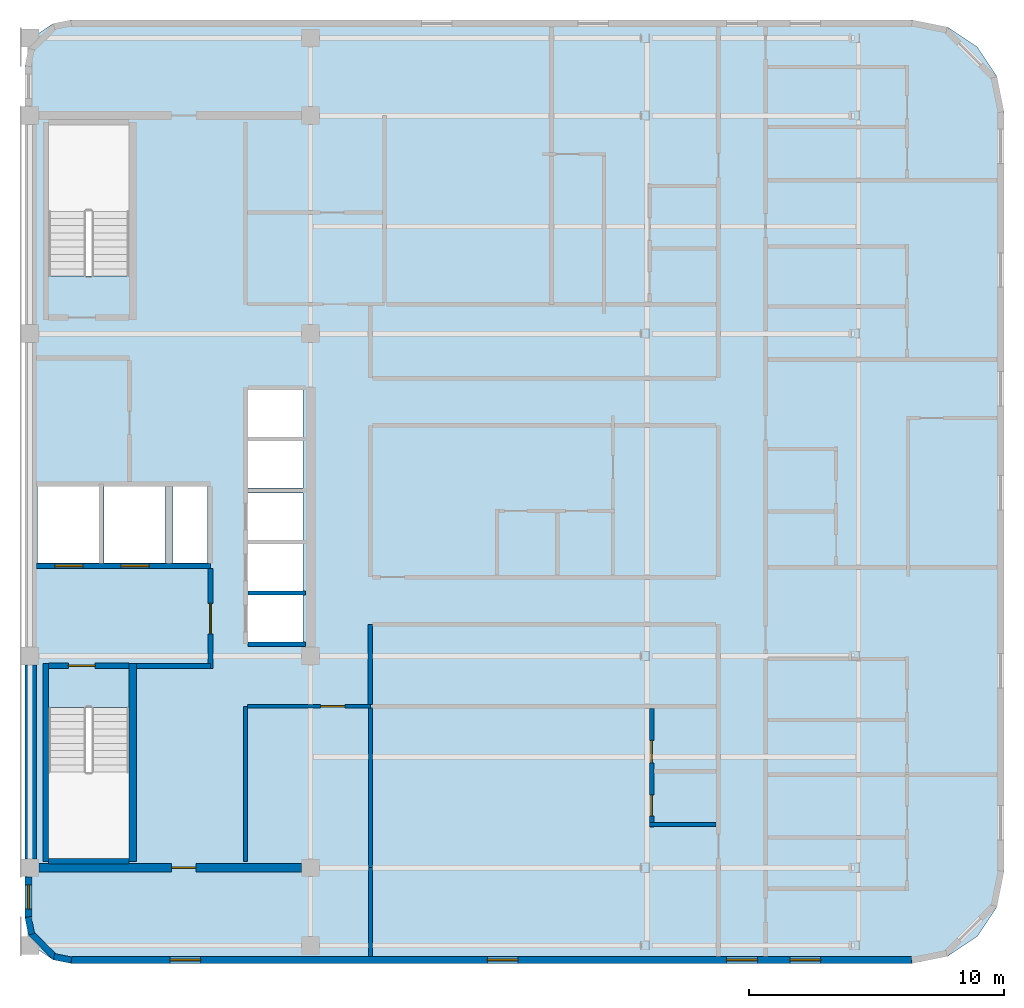
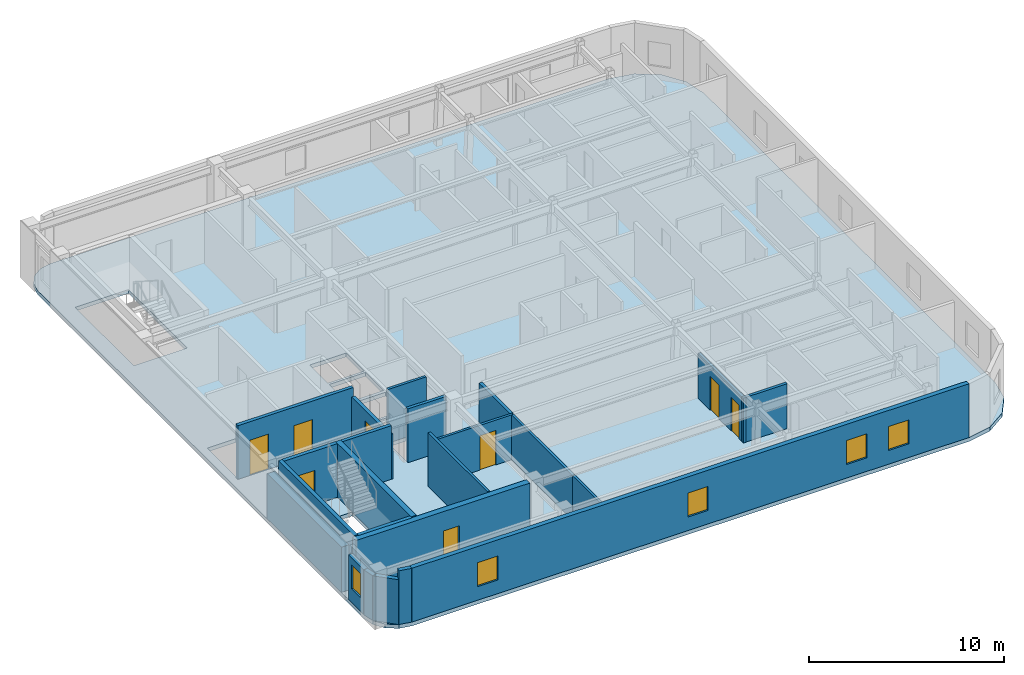
# One storey, part 2 of 7: 23 walls, 8 doors, 5 windows, 1 slab, 13 openings.
"""IFC4 building model written with IfcOpenShell, lengths in metres."""

from ifc_helpers import new_model, si_unit, direction, frame, frame_2d, origin, place, context, subcontext, project, spatial, polyline, rectangle, outline, extrude, material, layer, layer_set, type_object, element, fill, save


model = new_model("IFC4")

# Units and contexts
model_context = context("Model", 3, precision=1e-05, world=origin(), true_north=direction((0.0, 1.0)))
body_context = subcontext(model_context, "Body", "Model", "MODEL_VIEW")
ifc_project = project(units=[si_unit("LENGTHUNIT", "METRE"), si_unit("AREAUNIT", "SQUARE_METRE"), si_unit("VOLUMEUNIT", "CUBIC_METRE"), si_unit("PLANEANGLEUNIT", "RADIAN"), si_unit("MASSUNIT", "GRAM", prefix="KILO")], contexts=[model_context])

# Site, building, storey
site_placement = place(None, origin())
site = spatial("IfcSite", under=ifc_project, at=site_placement, CompositionType="ELEMENT")
building_placement = place(site_placement, origin())
building = spatial("IfcBuilding", under=site, at=building_placement, Name="Ochreholt Gables", CompositionType="ELEMENT")
storey_placement = place(building_placement, frame((0.0, 0.0, 238.800048828125)))
storey = spatial("IfcBuildingStorey", under=building, at=storey_placement, Name="L62", CompositionType="ELEMENT", Elevation=238.800048828125)

# Slab
ifc_material_1 = material(Name="Concrete 40 MPa", Category="concrete")
ifc_layer_1 = layer(ifc_material_1, 0.239990234375, Name="Concrete 40 MPa")
ifc_layer_set_1 = layer_set([ifc_layer_1], Name="Concrete 40 MPa")
slab_type = type_object("IfcSlabType", Name="SLAB-TWR-240", PredefinedType="FLOOR", material=ifc_layer_set_1)
slab_placement = place(storey_placement, frame((0.0, 0.0, -0.239990234375)))
element("IfcSlab", 1, at=slab_placement, inside=storey, type_object=slab_type, Name="L62 Structural Floor Slab", PredefinedType="FLOOR", context=body_context, shape_type="SweptSolid", body=[
    extrude(outline(polyline([(24.0, 7.300048828125), (24.136962890625, 6.611083984375), (24.527099609375, 6.027099609375), (25.111083984375, 5.636962890625), (25.800048828125, 5.5), (58.800048828125, 5.5), (60.177734375, 5.77392578125), (61.345703125, 6.554443359375), (62.1259765625, 7.722412109375), (62.39990234375, 9.10009765625), (62.39990234375, 38.89990234375), (62.1259765625, 40.277587890625), (61.345703125, 41.445556640625), (60.177734375, 42.22607421875), (58.800048828125, 42.5), (25.800048828125, 42.5), (25.111083984375, 42.363037109375), (24.527099609375, 41.972900390625), (24.136962890625, 41.388916015625), (24.0, 40.699951171875), (24.0, 7.300048828125)]), holes=[polyline([(24.919921875, 15.539306640625), (24.919921875, 9.52001953125), (28.080078125, 9.52001953125), (28.080078125, 15.539306640625), (24.919921875, 15.539306640625)]), polyline([(28.080078125, 32.460693359375), (28.080078125, 38.47998046875), (24.919921875, 38.47998046875), (24.919921875, 32.460693359375), (28.080078125, 32.460693359375)]), polyline([(24.5, 21.199951171875), (26.89990234375, 21.199951171875), (26.89990234375, 24.199951171875), (24.5, 24.199951171875), (24.5, 21.199951171875)]), polyline([(27.10009765625, 21.199951171875), (29.5, 21.199951171875), (29.5, 24.199951171875), (27.10009765625, 24.199951171875), (27.10009765625, 21.199951171875)]), polyline([(32.75, 18.10009765625), (34.89990234375, 18.10009765625), (34.89990234375, 19.949951171875), (32.75, 19.949951171875), (32.75, 18.10009765625)]), polyline([(32.75, 20.10009765625), (34.89990234375, 20.10009765625), (34.89990234375, 21.949951171875), (32.75, 21.949951171875), (32.75, 20.10009765625)]), polyline([(32.75, 22.10009765625), (34.89990234375, 22.10009765625), (34.89990234375, 23.949951171875), (32.75, 23.949951171875), (32.75, 22.10009765625)]), polyline([(32.75, 24.14990234375), (34.89990234375, 24.14990234375), (34.89990234375, 26.0), (32.75, 26.0), (32.75, 24.14990234375)]), polyline([(32.75, 26.14990234375), (34.89990234375, 26.14990234375), (34.89990234375, 28.0), (32.75, 28.0), (32.75, 26.14990234375)]), polyline([(29.800048828125, 21.199951171875), (31.14990234375, 21.199951171875), (31.14990234375, 24.199951171875), (29.800048828125, 24.199951171875), (29.800048828125, 21.199951171875)])]), origin(), (0.0, 0.0, 1.0), 0.239990234375),
])

# Wall, opening, door
ifc_material_2 = material(Name="Concrete 50 MPa", Category="concrete")
ifc_layer_2 = layer(ifc_material_2, 0.35009765625, Name="Concrete 50 MPa")
ifc_layer_set_2 = layer_set([ifc_layer_2], Name="Concrete 50 MPa")
wall_type_1 = type_object("IfcWallType", Name="WALL-CSW-350", PredefinedType="SHEAR", material=ifc_layer_set_2)
wall_1_placement = place(storey_placement, frame((24.550048828125, 9.25, 0.0), z_axis=(0.0, 0.0, 1.0), x_axis=(1.0, 0.0, 0.0)))
wall_1 = element("IfcWall", 2, at=wall_1_placement, inside=storey, type_object=wall_type_1, Name="L62 Core South Shear Wall", PredefinedType="SHEAR", context=body_context, shape_type="SweptSolid", body=[
    extrude(rectangle(XDim=10.300048828125, YDim=0.35009765625, at=frame_2d((5.14990234375, 0.0))), origin(), (0.0, 0.0, 1.0), 3.35986328125),
])
opening_1_placement = place(wall_1_placement, frame((5.199951171875, 0.0, 0.0)))
opening_1 = element("IfcOpeningElement", 3, at=opening_1_placement, cuts=wall_1, Name="Opening D-FL2", PredefinedType="OPENING", context=body_context, shape_type="SweptSolid", body=[
    extrude(rectangle(XDim=0.949951171875, YDim=2.14990234375, at=frame_2d((0.47509765625, 1.074951171875))), frame((0.0, 0.18505859375, 0.0), z_axis=(0.0, -1.0, 0.0), x_axis=(1.0, 0.0, 0.0)), (0.0, 0.0, 1.0), 0.3701171875),
])
ifc_material_3 = material(Name="Hollow Metal Steel", Category="steel")
door_type_1 = type_object("IfcDoorType", Name="DR-INT-FLB950", OperationType="NOTDEFINED", PredefinedType="DOOR", material=ifc_material_3)
door_1_placement = place(opening_1_placement, frame((0.949951171875, 0.0, 0.0), z_axis=(0.0, 0.0, 1.0), x_axis=(-1.0, 0.0, 0.0)))
door_1 = element("IfcDoor", 4, at=door_1_placement, inside=storey, type_object=door_type_1, Name="L62 Door D-C3SSL-L62", OperationType="SINGLE_SWING_LEFT", OverallHeight=2.14990234375, OverallWidth=0.949951171875, PredefinedType="DOOR", context=body_context, shape_type="SweptSolid", body=[
    extrude(rectangle(XDim=0.949951171875, YDim=2.14990234375, at=frame_2d((0.47509765625, 1.074951171875))), frame((0.0, 0.02490234375, 0.0), z_axis=(0.0, -1.0, 0.0), x_axis=(1.0, 0.0, 0.0)), (0.0, 0.0, 1.0), 0.050048828125),
])
fill(opening_1, door_1)

# Wall
ifc_layer_3 = layer(ifc_material_2, 0.449951171875, Name="Concrete 50 MPa")
ifc_layer_set_3 = layer_set([ifc_layer_3], Name="Concrete 50 MPa")
wall_type_2 = type_object("IfcWallType", Name="WALL-CSW-EXT", PredefinedType="SHEAR", material=ifc_layer_set_3)
wall_2_placement = place(storey_placement, frame((24.22509765625, 9.60009765625, 0.0), z_axis=(0.0, 0.0, 1.0), x_axis=(0.0, 1.0, 0.0)))
element("IfcWall", 5, at=wall_2_placement, inside=storey, type_object=wall_type_2, Name="L62 Core West Shear Wall WS", PredefinedType="SHEAR", context=body_context, shape_type="SweptSolid", body=[
    extrude(rectangle(XDim=7.599853515625, YDim=0.449951171875, at=frame_2d((3.7998046875, 0.0))), origin(), (0.0, 0.0, 1.0), 2.821044921875),
])

# Wall, openings, windows
ifc_material_4 = material(Name="Precast concrete 40 MPa", Category="concrete")
ifc_layer_4 = layer(ifc_material_4, 0.27001953125, Name="Precast concrete 40 MPa")
ifc_layer_set_4 = layer_set([ifc_layer_4], Name="Precast concrete 40 MPa")
wall_type_3 = type_object("IfcWallType", Name="WALL-EXT-270", PredefinedType="SOLIDWALL", material=ifc_layer_set_4)
wall_3_placement = place(storey_placement, frame((25.820068359375, 5.635009765625, 0.0), z_axis=(0.0, 0.0, 1.0), x_axis=(1.0, 0.0, 0.0)))
wall_3 = element("IfcWall", 6, at=wall_3_placement, inside=storey, type_object=wall_type_3, Name="L62 South Exterior Wall", PredefinedType="SOLIDWALL", context=body_context, shape_type="SweptSolid", body=[
    extrude(rectangle(XDim=32.9599609375, YDim=0.27001953125, at=frame_2d((16.47998046875, 0.0))), origin(), (0.0, 0.0, 1.0), 3.35986328125),
])
opening_2_placement = place(wall_3_placement, frame((3.8701171875, 0.0, 0.85009765625)))
opening_2 = element("IfcOpeningElement", 7, at=opening_2_placement, cuts=wall_3, Name="Opening WN-3", PredefinedType="OPENING", context=body_context, shape_type="SweptSolid", body=[
    extrude(rectangle(XDim=1.199951171875, YDim=1.5, at=frame_2d((0.60009765625, 0.75))), frame((0.0, 0.14501953125, 0.0), z_axis=(0.0, -1.0, 0.0), x_axis=(1.0, 0.0, 0.0)), (0.0, 0.0, 1.0), 0.2900390625),
])
opening_3_placement = place(wall_3_placement, frame((16.3134765625, 0.0, 0.85009765625)))
opening_3 = element("IfcOpeningElement", 8, at=opening_3_placement, cuts=wall_3, Name="Opening WN-3", PredefinedType="OPENING", context=body_context, shape_type="SweptSolid", body=[
    extrude(rectangle(XDim=1.199951171875, YDim=1.5, at=frame_2d((0.60009765625, 0.75))), frame((0.0, 0.14501953125, 0.0), z_axis=(0.0, -1.0, 0.0), x_axis=(1.0, 0.0, 0.0)), (0.0, 0.0, 1.0), 0.2900390625),
])
opening_4_placement = place(wall_3_placement, frame((25.705078125, 0.0, 0.85009765625)))
opening_4 = element("IfcOpeningElement", 9, at=opening_4_placement, cuts=wall_3, Name="Opening WN-3", PredefinedType="OPENING", context=body_context, shape_type="SweptSolid", body=[
    extrude(rectangle(XDim=1.199951171875, YDim=1.5, at=frame_2d((0.60009765625, 0.75))), frame((0.0, 0.14501953125, 0.0), z_axis=(0.0, -1.0, 0.0), x_axis=(1.0, 0.0, 0.0)), (0.0, 0.0, 1.0), 0.2900390625),
])
opening_5_placement = place(wall_3_placement, frame((28.19091796875, 0.0, 0.85009765625)))
opening_5 = element("IfcOpeningElement", 10, at=opening_5_placement, cuts=wall_3, Name="Opening WN-3", PredefinedType="OPENING", context=body_context, shape_type="SweptSolid", body=[
    extrude(rectangle(XDim=1.199951171875, YDim=1.5, at=frame_2d((0.60009765625, 0.75))), frame((0.0, 0.14501953125, 0.0), z_axis=(0.0, -1.0, 0.0), x_axis=(1.0, 0.0, 0.0)), (0.0, 0.0, 1.0), 0.2900390625),
])
ifc_material_5 = material(Name="Triple-Glazed Thermally Broken Aluminium Window", Category="aluminium")
window_type_1 = type_object("IfcWindowType", Name="WIN-RES-1200", PartitioningType="SINGLE_PANEL", PredefinedType="WINDOW", material=ifc_material_5)
window_1_placement = place(opening_2_placement, origin())
window_1 = element("IfcWindow", 11, at=window_1_placement, inside=storey, type_object=window_type_1, Name="L62 Window W-EXT-S-L62-1", OverallHeight=1.5, OverallWidth=1.199951171875, PartitioningType="SINGLE_PANEL", PredefinedType="WINDOW", context=body_context, shape_type="SweptSolid", body=[
    extrude(rectangle(XDim=1.199951171875, YDim=1.5, at=frame_2d((0.60009765625, 0.75))), frame((0.0, 0.030029296875, 0.0), z_axis=(0.0, -1.0, 0.0), x_axis=(1.0, 0.0, 0.0)), (0.0, 0.0, 1.0), 0.06005859375),
])
fill(opening_2, window_1)
window_2_placement = place(opening_3_placement, origin())
window_2 = element("IfcWindow", 12, at=window_2_placement, inside=storey, type_object=window_type_1, Name="L62 Window W-EXT-S-L62-2", OverallHeight=1.5, OverallWidth=1.199951171875, PartitioningType="SINGLE_PANEL", PredefinedType="WINDOW", context=body_context, shape_type="SweptSolid", body=[
    extrude(rectangle(XDim=1.199951171875, YDim=1.5, at=frame_2d((0.60009765625, 0.75))), frame((0.0, 0.030029296875, 0.0), z_axis=(0.0, -1.0, 0.0), x_axis=(1.0, 0.0, 0.0)), (0.0, 0.0, 1.0), 0.06005859375),
])
fill(opening_3, window_2)
window_3_placement = place(opening_4_placement, origin())
window_3 = element("IfcWindow", 13, at=window_3_placement, inside=storey, type_object=window_type_1, Name="L62 Window W-EXT-S-L62-3", OverallHeight=1.5, OverallWidth=1.199951171875, PartitioningType="SINGLE_PANEL", PredefinedType="WINDOW", context=body_context, shape_type="SweptSolid", body=[
    extrude(rectangle(XDim=1.199951171875, YDim=1.5, at=frame_2d((0.60009765625, 0.75))), frame((0.0, 0.030029296875, 0.0), z_axis=(0.0, -1.0, 0.0), x_axis=(1.0, 0.0, 0.0)), (0.0, 0.0, 1.0), 0.06005859375),
])
fill(opening_4, window_3)
window_4_placement = place(opening_5_placement, origin())
window_4 = element("IfcWindow", 14, at=window_4_placement, inside=storey, type_object=window_type_1, Name="L62 Window W-EXT-S-L62-4", OverallHeight=1.5, OverallWidth=1.199951171875, PartitioningType="SINGLE_PANEL", PredefinedType="WINDOW", context=body_context, shape_type="SweptSolid", body=[
    extrude(rectangle(XDim=1.199951171875, YDim=1.5, at=frame_2d((0.60009765625, 0.75))), frame((0.0, 0.030029296875, 0.0), z_axis=(0.0, -1.0, 0.0), x_axis=(1.0, 0.0, 0.0)), (0.0, 0.0, 1.0), 0.06005859375),
])
fill(opening_5, window_4)

# Wall, opening, window
wall_4_placement = place(storey_placement, frame((24.135009765625, 7.320068359375, 0.0), z_axis=(0.0, 0.0, 1.0), x_axis=(0.0, 1.0, 0.0)))
wall_4 = element("IfcWall", 15, at=wall_4_placement, inside=storey, type_object=wall_type_3, Name="L62 West Facade South Bay Wall", PredefinedType="SOLIDWALL", context=body_context, shape_type="SweptSolid", body=[
    extrude(rectangle(XDim=1.559814453125, YDim=0.27001953125, at=frame_2d((0.77978515625, 0.0))), origin(), (0.0, 0.0, 1.0), 2.802978515625),
])
opening_6_placement = place(wall_4_placement, frame((0.304931640625, 0.0, 0.85009765625)))
opening_6 = element("IfcOpeningElement", 16, at=opening_6_placement, cuts=wall_4, Name="Opening WN-10", PredefinedType="OPENING", context=body_context, shape_type="SweptSolid", body=[
    extrude(rectangle(XDim=0.949951171875, YDim=1.5, at=frame_2d((0.47509765625, 0.75))), frame((0.0, 0.14501953125, 0.0), z_axis=(0.0, -1.0, 0.0), x_axis=(1.0, 0.0, 0.0)), (0.0, 0.0, 1.0), 0.2900390625),
])
window_type_2 = type_object("IfcWindowType", Name="WIN-RES-950", PartitioningType="SINGLE_PANEL", PredefinedType="WINDOW", material=ifc_material_5)
window_5_placement = place(opening_6_placement, origin())
window_5 = element("IfcWindow", 17, at=window_5_placement, inside=storey, type_object=window_type_2, Name="L62 South Sky Lounge West Window", OverallHeight=1.5, OverallWidth=0.949951171875, PartitioningType="SINGLE_PANEL", PredefinedType="WINDOW", context=body_context, shape_type="SweptSolid", body=[
    extrude(rectangle(XDim=0.949951171875, YDim=1.5, at=frame_2d((0.47509765625, 0.75))), frame((0.0, 0.030029296875, 0.0), z_axis=(0.0, -1.0, 0.0), x_axis=(1.0, 0.0, 0.0)), (0.0, 0.0, 1.0), 0.06005859375),
])
fill(opening_6, window_5)

# Walls
ifc_layer_5 = layer(ifc_material_4, 0.25, Name="Precast concrete 40 MPa")
ifc_layer_set_5 = layer_set([ifc_layer_5], Name="Precast concrete 40 MPa")
wall_type_4 = type_object("IfcWallType", Name="WALL-EXT-CNR", PredefinedType="SOLIDWALL", material=ifc_layer_set_5)
wall_5_placement = place(storey_placement, frame((24.124267578125, 7.31640625, 0.0), z_axis=(0.0, 0.0, 1.0), x_axis=(0.194952956674, -0.980812594069, 0.0)))
element("IfcWall", 18, at=wall_5_placement, inside=storey, type_object=wall_type_4, Name="L62 Rounded Corner Wall SW-1", PredefinedType="SOLIDWALL", context=body_context, shape_type="SweptSolid", body=[
    extrude(rectangle(XDim=0.686279296875, YDim=0.25, at=frame_2d((0.34326171875, 0.0))), origin(), (0.0, 0.0, 1.0), 2.802978515625),
])
wall_6_placement = place(storey_placement, frame((24.23095703125, 6.69384765625, 0.0), z_axis=(0.0, 0.0, 1.0), x_axis=(0.707106781187, -0.707106781187, 0.0)))
element("IfcWall", 19, at=wall_6_placement, inside=storey, type_object=wall_type_4, Name="L62 Rounded Corner Wall SW-2", PredefinedType="SOLIDWALL", context=body_context, shape_type="SweptSolid", body=[
    extrude(rectangle(XDim=1.36181640625, YDim=0.25, at=frame_2d((0.680908203125, 0.0))), origin(), (0.0, 0.0, 1.0), 2.802978515625),
])
wall_7_placement = place(storey_placement, frame((25.143310546875, 5.758056640625, 0.0), z_axis=(0.0, 0.0, 1.0), x_axis=(0.980812594069, -0.194952956674, 0.0)))
element("IfcWall", 20, at=wall_7_placement, inside=storey, type_object=wall_type_4, Name="L62 Rounded Corner Wall SW-3", PredefinedType="SOLIDWALL", context=body_context, shape_type="SweptSolid", body=[
    extrude(rectangle(XDim=0.686279296875, YDim=0.25, at=frame_2d((0.34326171875, 0.0))), origin(), (0.0, 0.0, 1.0), 3.35986328125),
])

# Wall, openings, doors
ifc_layer_6 = layer(ifc_material_1, 0.199951171875, Name="Concrete 40 MPa")
ifc_layer_set_6 = layer_set([ifc_layer_6], Name="Concrete 40 MPa")
wall_type_5 = type_object("IfcWallType", Name="WALL-INT-CF200", PredefinedType="STANDARD", material=ifc_layer_set_6)
wall_8_placement = place(storey_placement, frame((24.449951171875, 21.090087890625, 0.0), z_axis=(0.0, 0.0, 1.0), x_axis=(1.0, 0.0, 0.0)))
wall_8 = element("IfcWall", 21, at=wall_8_placement, inside=storey, type_object=wall_type_5, Name="L62 Interior Wall WI-FFN-L62", PredefinedType="STANDARD", context=body_context, shape_type="SweptSolid", body=[
    extrude(rectangle(XDim=6.830078125, YDim=0.199951171875, at=frame_2d((3.4150390625, 0.0))), origin(), (0.0, 0.0, 1.0), 3.35986328125),
])
opening_7_placement = place(wall_8_placement, frame((0.719970703125, 0.0, 0.0)))
opening_7 = element("IfcOpeningElement", 22, at=opening_7_placement, cuts=wall_8, Name="Opening LD-FF", PredefinedType="OPENING", context=body_context, shape_type="SweptSolid", body=[
    extrude(rectangle(XDim=1.10009765625, YDim=2.199951171875, at=frame_2d((0.550048828125, 1.10009765625))), frame((0.0, 0.10986328125, 0.0), z_axis=(0.0, -1.0, 0.0), x_axis=(1.0, 0.0, 0.0)), (0.0, 0.0, 1.0), 0.219970703125),
])
opening_8_placement = place(wall_8_placement, frame((3.320068359375, 0.0, 0.0)))
opening_8 = element("IfcOpeningElement", 23, at=opening_8_placement, cuts=wall_8, Name="Opening LD-FF", PredefinedType="OPENING", context=body_context, shape_type="SweptSolid", body=[
    extrude(rectangle(XDim=1.10009765625, YDim=2.199951171875, at=frame_2d((0.550048828125, 1.10009765625))), frame((0.0, 0.10986328125, 0.0), z_axis=(0.0, -1.0, 0.0), x_axis=(1.0, 0.0, 0.0)), (0.0, 0.0, 1.0), 0.219970703125),
])
ifc_material_6 = material(Name="Stainless Steel", Category="steel")
door_type_2 = type_object("IfcDoorType", Name="DR-LFT-FF1100", OperationType="NOTDEFINED", PredefinedType="DOOR", material=ifc_material_6)
door_2_placement = place(opening_7_placement, origin())
door_2 = element("IfcDoor", 24, at=door_2_placement, inside=storey, type_object=door_type_2, Name="L62 Door LD-FF1-L62", OperationType="SLIDING_TO_LEFT", OverallHeight=2.199951171875, OverallWidth=1.10009765625, PredefinedType="DOOR", context=body_context, shape_type="SweptSolid", body=[
    extrude(rectangle(XDim=1.10009765625, YDim=2.199951171875, at=frame_2d((0.550048828125, 1.10009765625))), frame((0.0, 0.02490234375, 0.0), z_axis=(0.0, -1.0, 0.0), x_axis=(1.0, 0.0, 0.0)), (0.0, 0.0, 1.0), 0.050048828125),
])
fill(opening_7, door_2)
door_3_placement = place(opening_8_placement, origin())
door_3 = element("IfcDoor", 25, at=door_3_placement, inside=storey, type_object=door_type_2, Name="L62 Door LD-FF2-L62", OperationType="SLIDING_TO_LEFT", OverallHeight=2.199951171875, OverallWidth=1.10009765625, PredefinedType="DOOR", context=body_context, shape_type="SweptSolid", body=[
    extrude(rectangle(XDim=1.10009765625, YDim=2.199951171875, at=frame_2d((0.550048828125, 1.10009765625))), frame((0.0, 0.02490234375, 0.0), z_axis=(0.0, -1.0, 0.0), x_axis=(1.0, 0.0, 0.0)), (0.0, 0.0, 1.0), 0.050048828125),
])
fill(opening_8, door_3)

# Wall
wall_9_placement = place(storey_placement, frame((28.3798828125, 17.169921875, 0.0), z_axis=(0.0, 0.0, 1.0), x_axis=(1.0, 0.0, 0.0)))
element("IfcWall", 26, at=wall_9_placement, inside=storey, type_object=wall_type_5, Name="L62 Interior Wall WI-FFS-L62", PredefinedType="STANDARD", context=body_context, shape_type="SweptSolid", body=[
    extrude(rectangle(XDim=2.900146484375, YDim=0.199951171875, at=frame_2d((1.4501953125, 0.0))), origin(), (0.0, 0.0, 1.0), 3.35986328125),
])

# Wall, opening, door
wall_10_placement = place(storey_placement, frame((31.280029296875, 17.070068359375, 0.0), z_axis=(0.0, 0.0, 1.0), x_axis=(0.0, 1.0, 0.0)))
wall_10 = element("IfcWall", 27, at=wall_10_placement, inside=storey, type_object=wall_type_5, Name="L62 Interior Wall WI-FFE-L62", PredefinedType="STANDARD", context=body_context, shape_type="SweptSolid", body=[
    extrude(rectangle(XDim=3.919921875, YDim=0.199951171875, at=frame_2d((1.9599609375, 0.0))), origin(), (0.0, 0.0, 1.0), 2.802978515625),
])
opening_9_placement = place(wall_10_placement, frame((1.35009765625, 0.0, 0.0)))
opening_9 = element("IfcOpeningElement", 28, at=opening_9_placement, cuts=wall_10, Name="Opening D-FFL", PredefinedType="OPENING", context=body_context, shape_type="SweptSolid", body=[
    extrude(rectangle(XDim=1.199951171875, YDim=2.14990234375, at=frame_2d((0.60009765625, 1.074951171875))), frame((0.0, 0.10986328125, 0.0), z_axis=(0.0, -1.0, 0.0), x_axis=(1.0, 0.0, 0.0)), (0.0, 0.0, 1.0), 0.219970703125),
])
door_type_3 = type_object("IfcDoorType", Name="DR-INT-FFL1200", OperationType="NOTDEFINED", PredefinedType="DOOR", material=ifc_material_3)
door_4_placement = place(opening_9_placement, origin())
door_4 = element("IfcDoor", 29, at=door_4_placement, inside=storey, type_object=door_type_3, Name="L62 Door D-FFL-L62", OperationType="SINGLE_SWING_LEFT", OverallHeight=2.14990234375, OverallWidth=1.199951171875, PredefinedType="DOOR", context=body_context, shape_type="SweptSolid", body=[
    extrude(rectangle(XDim=1.199951171875, YDim=2.14990234375, at=frame_2d((0.60009765625, 1.074951171875))), frame((0.0, 0.02490234375, 0.0), z_axis=(0.0, -1.0, 0.0), x_axis=(1.0, 0.0, 0.0)), (0.0, 0.0, 1.0), 0.050048828125),
])
fill(opening_9, door_4)

# Walls
ifc_material_7 = material(Name="Fire-Rated Gypsum Acoustic Partition", Category="gypsum")
ifc_layer_7 = layer(ifc_material_7, 0.179931640625, Name="Fire-Rated Gypsum Acoustic Partition")
ifc_layer_set_7 = layer_set([ifc_layer_7], Name="Fire-Rated Gypsum Acoustic Partition")
wall_type_6 = type_object("IfcWallType", Name="WALL-INT-CR180", PredefinedType="STANDARD", material=ifc_layer_set_7)
wall_11_placement = place(storey_placement, frame((37.550048828125, 15.652587890625, 0.0), z_axis=(0.0, 0.0, 1.0), x_axis=(0.0, 1.0, 0.0)))
element("IfcWall", 30, at=wall_11_placement, inside=storey, type_object=wall_type_6, Name="L62 Interior Wall WI-C3CE0-L62", PredefinedType="STANDARD", context=body_context, shape_type="SweptSolid", body=[
    extrude(rectangle(XDim=3.1474609375, YDim=0.179931640625, at=frame_2d((1.57373046875, 0.0))), origin(), (0.0, 0.0, 1.0), 2.802978515625),
])
ifc_material_8 = material(Name="Moisture-Resistant Plumbing Chase Wall", Category="gypsum")
ifc_layer_8 = layer(ifc_material_8, 0.159912109375, Name="Moisture-Resistant Plumbing Chase Wall")
ifc_layer_set_8 = layer_set([ifc_layer_8], Name="Moisture-Resistant Plumbing Chase Wall")
wall_type_7 = type_object("IfcWallType", Name="WALL-INT-PL160", PredefinedType="PLUMBINGWALL", material=ifc_layer_set_8)
wall_12_placement = place(storey_placement, frame((48.50390625, 10.93994140625, 0.0), z_axis=(0.0, 0.0, 1.0), x_axis=(1.0, 0.0, 0.0)))
element("IfcWall", 31, at=wall_12_placement, inside=storey, type_object=wall_type_7, Name="L62 Interior Wall WU-L62SM1-WYS", PredefinedType="PLUMBINGWALL", context=body_context, shape_type="SweptSolid", body=[
    extrude(rectangle(XDim=2.606201171875, YDim=0.159912109375, at=frame_2d((1.30322265625, 0.0))), origin(), (0.0, 0.0, 1.0), 2.802978515625),
])

# Wall, openings, doors
wall_13_placement = place(storey_placement, frame((48.583984375, 10.85009765625, 0.0), z_axis=(0.0, 0.0, 1.0), x_axis=(0.0, 1.0, 0.0)))
wall_13 = element("IfcWall", 32, at=wall_13_placement, inside=storey, type_object=wall_type_7, Name="L62 Interior Wall WU-L62SM1-WX", PredefinedType="PLUMBINGWALL", context=body_context, shape_type="SweptSolid", body=[
    extrude(rectangle(XDim=4.637451171875, YDim=0.159912109375, at=frame_2d((2.31884765625, 0.0))), origin(), (0.0, 0.0, 1.0), 2.802978515625),
])
opening_10_placement = place(wall_13_placement, frame((0.419921875, 0.0, 0.0)))
opening_10 = element("IfcOpeningElement", 33, at=opening_10_placement, cuts=wall_13, Name="Opening D-BT2", PredefinedType="OPENING", context=body_context, shape_type="SweptSolid", body=[
    extrude(rectangle(XDim=0.840087890625, YDim=2.1201171875, at=frame_2d((0.419921875, 1.06005859375))), frame((0.0, 0.08984375, 0.0), z_axis=(0.0, -1.0, 0.0), x_axis=(1.0, 0.0, 0.0)), (0.0, 0.0, 1.0), 0.179931640625),
])
opening_11_placement = place(wall_13_placement, frame((2.512939453125, 0.0, 0.0)))
opening_11 = element("IfcOpeningElement", 34, at=opening_11_placement, cuts=wall_13, Name="Opening D-GN2", PredefinedType="OPENING", context=body_context, shape_type="SweptSolid", body=[
    extrude(rectangle(XDim=0.8798828125, YDim=2.1201171875, at=frame_2d((0.43994140625, 1.06005859375))), frame((0.0, 0.08984375, 0.0), z_axis=(0.0, -1.0, 0.0), x_axis=(1.0, 0.0, 0.0)), (0.0, 0.0, 1.0), 0.179931640625),
])
ifc_material_9 = material(Name="Engineered Oak Timber", Category="wood")
door_type_4 = type_object("IfcDoorType", Name="DR-INT-BTH840", OperationType="NOTDEFINED", PredefinedType="DOOR", material=ifc_material_9)
door_5_placement = place(opening_10_placement, origin())
door_5 = element("IfcDoor", 35, at=door_5_placement, inside=storey, type_object=door_type_4, Name="L62 Door D-U-L62SM1-BTH", OperationType="SINGLE_SWING_RIGHT", OverallHeight=2.1201171875, OverallWidth=0.840087890625, PredefinedType="DOOR", context=body_context, shape_type="SweptSolid", body=[
    extrude(rectangle(XDim=0.840087890625, YDim=2.1201171875, at=frame_2d((0.419921875, 1.06005859375))), frame((0.0, 0.02490234375, 0.0), z_axis=(0.0, -1.0, 0.0), x_axis=(1.0, 0.0, 0.0)), (0.0, 0.0, 1.0), 0.050048828125),
])
fill(opening_10, door_5)
door_type_5 = type_object("IfcDoorType", Name="DR-INT-GEN880", OperationType="NOTDEFINED", PredefinedType="DOOR", material=ifc_material_9)
door_6_placement = place(opening_11_placement, origin())
door_6 = element("IfcDoor", 36, at=door_6_placement, inside=storey, type_object=door_type_5, Name="L62 Door D-U-L62SM1-KIT", OperationType="SINGLE_SWING_LEFT", OverallHeight=2.1201171875, OverallWidth=0.8798828125, PredefinedType="DOOR", context=body_context, shape_type="SweptSolid", body=[
    extrude(rectangle(XDim=0.8798828125, YDim=2.1201171875, at=frame_2d((0.43994140625, 1.06005859375))), frame((0.0, 0.02490234375, 0.0), z_axis=(0.0, -1.0, 0.0), x_axis=(1.0, 0.0, 0.0)), (0.0, 0.0, 1.0), 0.050048828125),
])
fill(opening_11, door_6)

# Wall
ifc_material_10 = material(Name="Lightweight Stud Partition", Category="gypsum")
ifc_layer_9 = layer(ifc_material_10, 0.14501953125, Name="Lightweight Stud Partition")
ifc_layer_set_9 = layer_set([ifc_layer_9], Name="Lightweight Stud Partition")
wall_type_8 = type_object("IfcWallType", Name="WALL-INT-PT145", PredefinedType="PARTITIONING", material=ifc_layer_set_9)
wall_14_placement = place(storey_placement, frame((32.64990234375, 9.5, 0.0), z_axis=(0.0, 0.0, 1.0), x_axis=(0.0, 1.0, 0.0)))
element("IfcWall", 37, at=wall_14_placement, inside=storey, type_object=wall_type_8, Name="L62 Interior Wall WI-RCL-W-L62", PredefinedType="PARTITIONING", context=body_context, shape_type="SweptSolid", body=[
    extrude(rectangle(XDim=6.080078125, YDim=0.14501953125, at=frame_2d((3.0400390625, 0.0))), origin(), (0.0, 0.0, 1.0), 3.35986328125),
])

# Wall, opening, door
wall_15_placement = place(storey_placement, frame((32.722412109375, 15.580078125, 0.0), z_axis=(0.0, 0.0, 1.0), x_axis=(1.0, 0.0, 0.0)))
wall_15 = element("IfcWall", 38, at=wall_15_placement, inside=storey, type_object=wall_type_8, Name="L62 Interior Wall WI-RCL-N-L62", PredefinedType="PARTITIONING", context=body_context, shape_type="SweptSolid", body=[
    extrude(rectangle(XDim=4.82763671875, YDim=0.14501953125, at=frame_2d((2.413818359375, 0.0))), origin(), (0.0, 0.0, 1.0), 2.802978515625),
])
opening_12_placement = place(wall_15_placement, frame((2.87744140625, 0.0, 0.0)))
opening_12 = element("IfcOpeningElement", 39, at=opening_12_placement, cuts=wall_15, Name="Opening D-GN1", PredefinedType="OPENING", context=body_context, shape_type="SweptSolid", body=[
    extrude(rectangle(XDim=0.949951171875, YDim=2.14990234375, at=frame_2d((0.47509765625, 1.074951171875))), frame((0.0, 0.08251953125, 0.0), z_axis=(0.0, -1.0, 0.0), x_axis=(1.0, 0.0, 0.0)), (0.0, 0.0, 1.0), 0.1650390625),
])
door_type_6 = type_object("IfcDoorType", Name="DR-INT-GEN950", OperationType="NOTDEFINED", PredefinedType="DOOR", material=ifc_material_9)
door_7_placement = place(opening_12_placement, origin())
door_7 = element("IfcDoor", 40, at=door_7_placement, inside=storey, type_object=door_type_6, Name="L62 Door D-RCL-L62", OperationType="SINGLE_SWING_LEFT", OverallHeight=2.14990234375, OverallWidth=0.949951171875, PredefinedType="DOOR", context=body_context, shape_type="SweptSolid", body=[
    extrude(rectangle(XDim=0.949951171875, YDim=2.14990234375, at=frame_2d((0.47509765625, 1.074951171875))), frame((0.0, 0.02490234375, 0.0), z_axis=(0.0, -1.0, 0.0), x_axis=(1.0, 0.0, 0.0)), (0.0, 0.0, 1.0), 0.050048828125),
])
fill(opening_12, door_7)

# Walls
wall_16_placement = place(storey_placement, frame((37.550048828125, 9.25, 0.0), z_axis=(0.0, 0.0, 1.0), x_axis=(0.0, 1.0, 0.0)))
element("IfcWall", 41, at=wall_16_placement, inside=storey, type_object=wall_type_8, Name="L62 Interior Wall WI-RCL-E-L62", PredefinedType="PARTITIONING", context=body_context, shape_type="SweptSolid", body=[
    extrude(rectangle(XDim=6.257568359375, YDim=0.14501953125, at=frame_2d((3.12890625, 0.0))), origin(), (0.0, 0.0, 1.0), 2.802978515625),
])
wall_17_placement = place(storey_placement, frame((37.550048828125, 5.77001953125, 0.0), z_axis=(0.0, 0.0, 1.0), x_axis=(0.0, 1.0, 0.0)))
element("IfcWall", 42, at=wall_17_placement, inside=storey, type_object=wall_type_8, Name="L62 Interior Wall WI-C3SMW-L62", PredefinedType="PARTITIONING", context=body_context, shape_type="SweptSolid", body=[
    extrude(rectangle(XDim=3.47998046875, YDim=0.14501953125, at=frame_2d((1.739990234375, 0.0))), origin(), (0.0, 0.0, 1.0), 2.802978515625),
])
ifc_material_11 = material(Name="Gypsum Shaftliner and Steel Stud", Category="steel")
ifc_layer_10 = layer(ifc_material_11, 0.14990234375, Name="Gypsum Shaftliner and Steel Stud")
ifc_layer_set_10 = layer_set([ifc_layer_10], Name="Gypsum Shaftliner and Steel Stud")
wall_type_9 = type_object("IfcWallType", Name="WALL-INT-SH150", PredefinedType="STANDARD", material=ifc_layer_set_10)
wall_18_placement = place(storey_placement, frame((32.739990234375, 20.02001953125, 0.0), z_axis=(0.0, 0.0, 1.0), x_axis=(1.0, 0.0, 0.0)))
element("IfcWall", 43, at=wall_18_placement, inside=storey, type_object=wall_type_9, Name="L62 Interior Wall WI-LFHE-DH1-L62", PredefinedType="STANDARD", context=body_context, shape_type="SweptSolid", body=[
    extrude(rectangle(XDim=2.260009765625, YDim=0.14990234375, at=frame_2d((1.1298828125, 0.0))), origin(), (0.0, 0.0, 1.0), 3.35986328125),
])
ifc_layer_11 = layer(ifc_material_11, 0.179931640625, Name="Gypsum Shaftliner and Steel Stud")
ifc_layer_set_11 = layer_set([ifc_layer_11], Name="Gypsum Shaftliner and Steel Stud")
wall_type_10 = type_object("IfcWallType", Name="WALL-INT-SH180", PredefinedType="STANDARD", material=ifc_layer_set_11)
wall_19_placement = place(storey_placement, frame((32.739990234375, 18.02001953125, 0.0), z_axis=(0.0, 0.0, 1.0), x_axis=(1.0, 0.0, 0.0)))
element("IfcWall", 44, at=wall_19_placement, inside=storey, type_object=wall_type_10, Name="L62 Interior Wall WI-LFHE-S-L62", PredefinedType="STANDARD", context=body_context, shape_type="SweptSolid", body=[
    extrude(rectangle(XDim=2.260009765625, YDim=0.179931640625, at=frame_2d((1.1298828125, 0.0))), origin(), (0.0, 0.0, 1.0), 3.35986328125),
])
ifc_material_12 = material(Name="Concrete 60 MPa", Category="concrete")
ifc_layer_12 = layer(ifc_material_12, 0.300048828125, Name="Concrete 60 MPa")
ifc_layer_set_12 = layer_set([ifc_layer_12], Name="Concrete 60 MPa")
wall_type_11 = type_object("IfcWallType", Name="WALL-SPN-300", PredefinedType="SHEAR", material=ifc_layer_set_12)
wall_20_placement = place(storey_placement, frame((28.22998046875, 9.5, 0.0), z_axis=(0.0, 0.0, 1.0), x_axis=(0.0, 1.0, 0.0)))
element("IfcWall", 45, at=wall_20_placement, inside=storey, type_object=wall_type_11, Name="L62 Core South Spine Shear Wall", PredefinedType="SHEAR", context=body_context, shape_type="SweptSolid", body=[
    extrude(rectangle(XDim=7.760009765625, YDim=0.300048828125, at=frame_2d((3.8798828125, 0.0))), origin(), (0.0, 0.0, 1.0), 3.35986328125),
])
ifc_layer_13 = layer(ifc_material_2, 0.219970703125, Name="Concrete 50 MPa")
ifc_layer_set_13 = layer_set([ifc_layer_13], Name="Concrete 50 MPa")
wall_type_12 = type_object("IfcWallType", Name="WALL-STW-220", PredefinedType="SHEAR", material=ifc_layer_set_13)
wall_21_placement = place(storey_placement, frame((24.81005859375, 9.5, 0.0), z_axis=(0.0, 0.0, 1.0), x_axis=(0.0, 1.0, 0.0)))
element("IfcWall", 46, at=wall_21_placement, inside=storey, type_object=wall_type_12, Name="L62 Exit Stair 1 West Wall", PredefinedType="SHEAR", context=body_context, shape_type="SweptSolid", body=[
    extrude(rectangle(XDim=7.760009765625, YDim=0.219970703125, at=frame_2d((3.8798828125, 0.0))), origin(), (0.0, 0.0, 1.0), 3.35986328125),
])
wall_22_placement = place(storey_placement, frame((24.919921875, 9.510009765625, 0.0), z_axis=(0.0, 0.0, 1.0), x_axis=(1.0, 0.0, 0.0)))
element("IfcWall", 47, at=wall_22_placement, inside=storey, type_object=wall_type_12, Name="L62 Exit Stair 1 South Wall", PredefinedType="SHEAR", context=body_context, shape_type="SweptSolid", body=[
    extrude(rectangle(XDim=3.16015625, YDim=0.219970703125, at=frame_2d((1.580078125, 0.0))), origin(), (0.0, 0.0, 1.0), 3.35986328125),
])

# Wall, opening, door
wall_23_placement = place(storey_placement, frame((24.919921875, 17.169921875, 0.0), z_axis=(0.0, 0.0, 1.0), x_axis=(1.0, 0.0, 0.0)))
wall_23 = element("IfcWall", 48, at=wall_23_placement, inside=storey, type_object=wall_type_12, Name="L62 Exit Stair 1 North Wall", PredefinedType="SHEAR", context=body_context, shape_type="SweptSolid", body=[
    extrude(rectangle(XDim=3.16015625, YDim=0.219970703125, at=frame_2d((1.580078125, 0.0))), origin(), (0.0, 0.0, 1.0), 3.35986328125),
])
opening_13_placement = place(wall_23_placement, frame((0.780029296875, 0.0, 0.0)))
opening_13 = element("IfcOpeningElement", 49, at=opening_13_placement, cuts=wall_23, Name="Opening D-STC", PredefinedType="OPENING", context=body_context, shape_type="SweptSolid", body=[
    extrude(rectangle(XDim=1.050048828125, YDim=2.14990234375, at=frame_2d((0.52490234375, 1.074951171875))), frame((0.0, 0.119873046875, 0.0), z_axis=(0.0, -1.0, 0.0), x_axis=(1.0, 0.0, 0.0)), (0.0, 0.0, 1.0), 0.239990234375),
])
door_type_7 = type_object("IfcDoorType", Name="DR-INT-ST1050", OperationType="NOTDEFINED", PredefinedType="DOOR", material=ifc_material_3)
door_8_placement = place(opening_13_placement, frame((1.050048828125, 0.0, 0.0), z_axis=(0.0, 0.0, 1.0), x_axis=(-1.0, 0.0, 0.0)))
door_8 = element("IfcDoor", 50, at=door_8_placement, inside=storey, type_object=door_type_7, Name="L62 Door D-ST1-L62", OperationType="SINGLE_SWING_LEFT", OverallHeight=2.14990234375, OverallWidth=1.050048828125, PredefinedType="DOOR", context=body_context, shape_type="SweptSolid", body=[
    extrude(rectangle(XDim=1.050048828125, YDim=2.14990234375, at=frame_2d((0.52490234375, 1.074951171875))), frame((0.0, 0.02490234375, 0.0), z_axis=(0.0, -1.0, 0.0), x_axis=(1.0, 0.0, 0.0)), (0.0, 0.0, 1.0), 0.050048828125),
])
fill(opening_13, door_8)

save(model, "model.ifc")
